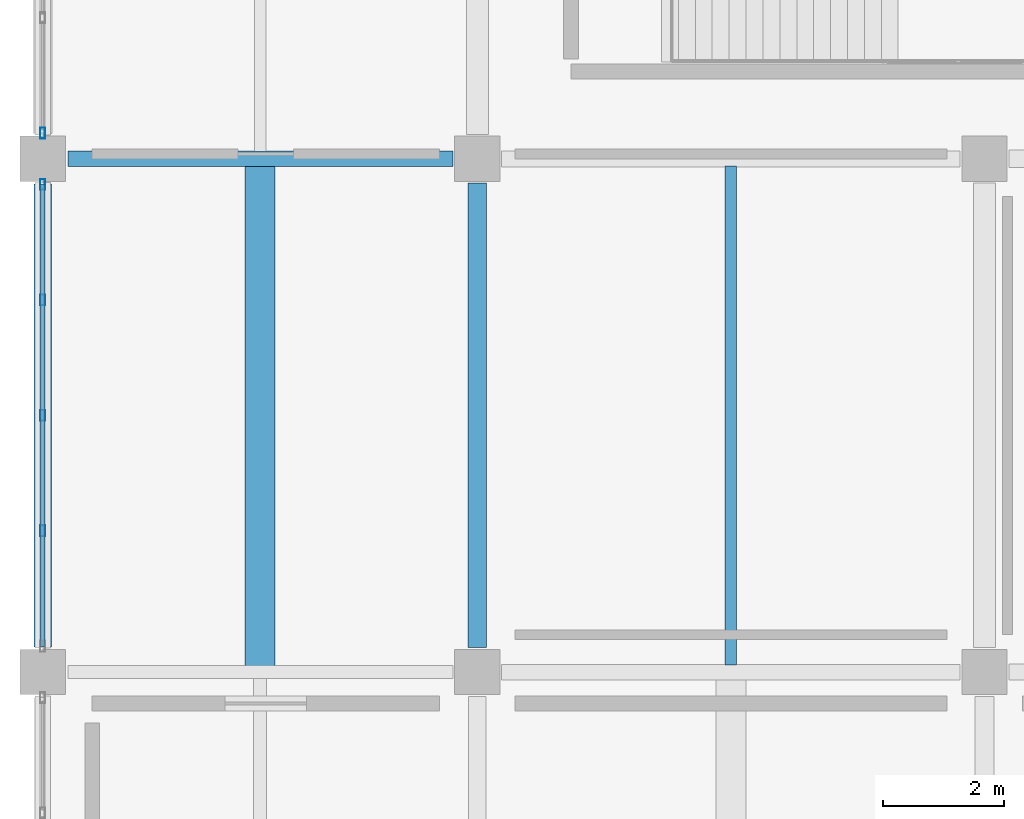
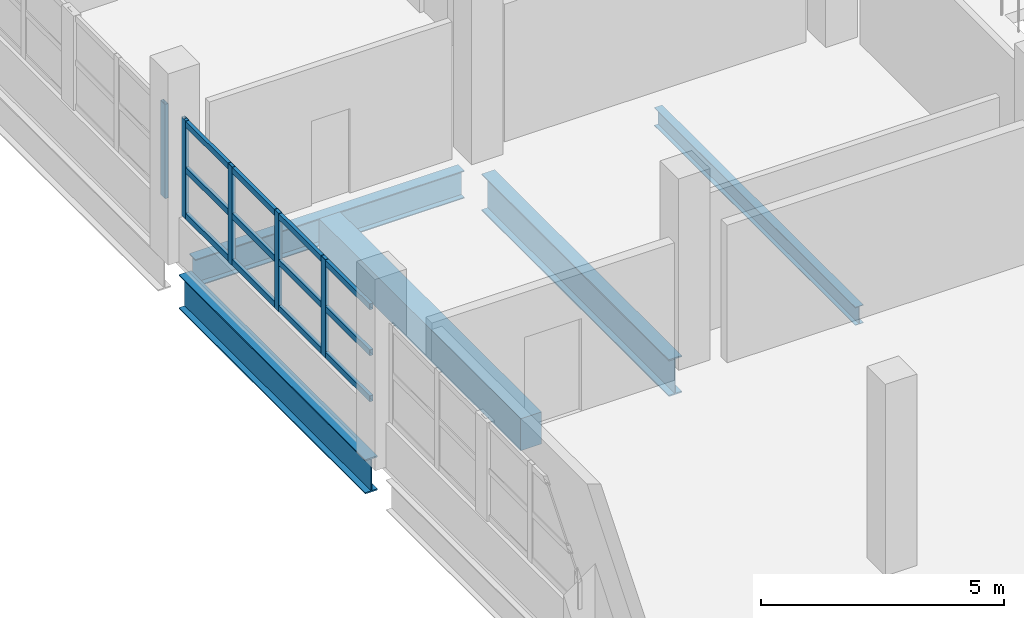
# One storey, part 36 of 117: 8 members, 5 beams, 2 elements without a shape of their own.
"""IFC4 building model written with IfcOpenShell, lengths in metres."""

from ifc_helpers import new_model, si_unit, direction, frame, origin, origin_2d, place, context, subcontext, project, spatial, rectangle, hollow_rectangle, i_section, extrude, material, material_profile, profile_set, type_object, element, aggregate, save


model = new_model("IFC4")

# Units and contexts
model_context = context("Model", 3, precision=1e-05, world=origin(), true_north=direction((0.0, 1.0)))
body_context = subcontext(model_context, "Body", "Model", "MODEL_VIEW")
ifc_project = project(units=[si_unit("LENGTHUNIT", "METRE"), si_unit("AREAUNIT", "SQUARE_METRE"), si_unit("VOLUMEUNIT", "CUBIC_METRE"), si_unit("PLANEANGLEUNIT", "RADIAN"), si_unit("MASSUNIT", "GRAM", prefix="KILO")], contexts=[model_context])

# Site, building, storey
site_placement = place(None, origin())
site = spatial("IfcSite", under=ifc_project, at=site_placement, CompositionType="ELEMENT")
building_placement = place(site_placement, origin())
building = spatial("IfcBuilding", under=site, at=building_placement, Name="Solvento Point Concert Hall", CompositionType="ELEMENT")
storey_placement = place(building_placement, frame((0.0, 0.0, 5.39990234375)))
storey = spatial("IfcBuildingStorey", under=building, at=storey_placement, Name="L01", CompositionType="ELEMENT", Elevation=5.39990234375)

# Beams
ifc_material_1 = material(Name="Concrete C35/45", Category="concrete")
ifc_material_profile_1 = material_profile(ifc_material_1, rectangle(XDim=0.5, YDim=0.800048828125, at=origin_2d()), Name="RC-BM-500X800")
ifc_profile_set_1 = profile_set([ifc_material_profile_1], Name="Concrete C35/45")
beam_type_1 = type_object("IfcBeamType", Name="Beam_RC_500x800", PredefinedType="BEAM", material=ifc_profile_set_1)
beam_1_placement = place(storey_placement, frame((3.60009765625, 119.092041015625, -0.683837890625), z_axis=(0.0, 1.0, 0.0), x_axis=(-1.0, 0.0, 0.0)))
element("IfcBeam", 1, at=beam_1_placement, inside=storey, type_object=beam_type_1, Name="Secondary floor joist B-63 L01", PredefinedType="BEAM", context=body_context, shape_type="SweptSolid", body=[
    extrude(rectangle(XDim=0.5, YDim=0.800048828125, at=origin_2d()), origin(), (0.0, 0.0, 1.0), 8.294921875),
])
ifc_material_2 = material(Name="Structural Steel ASTM A992 Grade 50", Category="steel")
ifc_material_profile_2 = material_profile(ifc_material_2, i_section(OverallWidth=0.256103515625, OverallDepth=0.693115234375, WebThickness=0.014404296875, FlangeThickness=0.023681640625, at=origin_2d()), Name="W27X114")
ifc_profile_set_2 = profile_set([ifc_material_profile_2], Name="Structural Steel ASTM A992 Grade 50")
beam_type_2 = type_object("IfcBeamType", Name="Girder_W27X114", PredefinedType="USERDEFINED", material=ifc_profile_set_2)
beam_2_placement = place(storey_placement, frame((0.4189453125, 127.5, -0.63037109375), z_axis=(1.0, 0.0, 0.0), x_axis=(0.0, 1.0, 0.0)))
element("IfcBeam", 2, at=beam_2_placement, inside=storey, type_object=beam_type_2, Name="Primary girder B-23 L01", ObjectType="GIRDER", PredefinedType="USERDEFINED", context=body_context, shape_type="SweptSolid", body=[
    extrude(i_section(OverallWidth=0.256103515625, OverallDepth=0.693115234375, WebThickness=0.014404296875, FlangeThickness=0.023681640625, at=origin_2d()), origin(), (0.0, 0.0, 1.0), 6.376953125),
])
ifc_material_3 = material(Name="Structural Steel ASTM A992 Grade 50", Category="steel")
ifc_material_profile_3 = material_profile(ifc_material_3, i_section(OverallWidth=0.2919921875, OverallDepth=0.85888671875, WebThickness=0.01708984375, FlangeThickness=0.031005859375, at=origin_2d()), Name="W33X169")
ifc_profile_set_3 = profile_set([ifc_material_profile_3], Name="Structural Steel ASTM A992 Grade 50")
beam_type_3 = type_object("IfcBeamType", Name="Girder_W33X169", PredefinedType="USERDEFINED", material=ifc_profile_set_3)
beam_3_placement = place(storey_placement, frame((0.0, 119.4189453125, -0.71337890625), z_axis=(0.0, 1.0, 0.0), x_axis=(-1.0, 0.0, 0.0)))
element("IfcBeam", 3, at=beam_3_placement, inside=storey, type_object=beam_type_3, Name="Primary girder B-33 L01", ObjectType="GIRDER", PredefinedType="USERDEFINED", context=body_context, shape_type="SweptSolid", body=[
    extrude(i_section(OverallWidth=0.2919921875, OverallDepth=0.85888671875, WebThickness=0.01708984375, FlangeThickness=0.031005859375, at=origin_2d()), origin(), (0.0, 0.0, 1.0), 7.662109375),
])
ifc_material_4 = material(Name="Structural Steel ASTM A992 Grade 50", Category="steel")
ifc_material_profile_4 = material_profile(ifc_material_4, i_section(OverallWidth=0.3076171875, OverallDepth=0.927001953125, WebThickness=0.019287109375, FlangeThickness=0.031982421875, at=origin_2d()), Name="W36X194")
ifc_profile_set_4 = profile_set([ifc_material_profile_4], Name="Structural Steel ASTM A992 Grade 50")
beam_type_4 = type_object("IfcBeamType", Name="Girder_W36X194", PredefinedType="USERDEFINED", material=ifc_profile_set_4)
beam_4_placement = place(storey_placement, frame((7.199951171875, 119.404052734375, -0.747314453125), z_axis=(0.0, 1.0, 0.0), x_axis=(-1.0, 0.0, 0.0)))
element("IfcBeam", 4, at=beam_4_placement, inside=storey, type_object=beam_type_4, Name="Primary girder B-61 L01", ObjectType="GIRDER", PredefinedType="USERDEFINED", context=body_context, shape_type="SweptSolid", body=[
    extrude(i_section(OverallWidth=0.3076171875, OverallDepth=0.927001953125, WebThickness=0.019287109375, FlangeThickness=0.031982421875, at=origin_2d()), origin(), (0.0, 0.0, 1.0), 7.69189453125),
])
ifc_material_5 = material(Name="Structural Steel ASTM A992 Grade 50", Category="steel")
ifc_material_profile_5 = material_profile(ifc_material_5, i_section(OverallWidth=0.1904296875, OverallDepth=0.45703125, WebThickness=0.009033203125, FlangeThickness=0.014404296875, at=origin_2d()), Name="W18X50")
ifc_profile_set_5 = profile_set([ifc_material_profile_5], Name="Structural Steel ASTM A992 Grade 50")
beam_type_5 = type_object("IfcBeamType", Name="Joist_W18X50", PredefinedType="JOIST", material=ifc_profile_set_5)
beam_5_placement = place(storey_placement, frame((11.39990234375, 119.113037109375, -0.512451171875), z_axis=(0.0, 1.0, 0.0), x_axis=(-1.0, 0.0, 0.0)))
element("IfcBeam", 5, at=beam_5_placement, inside=storey, type_object=beam_type_5, Name="Secondary floor joist B-66 L01", PredefinedType="JOIST", context=body_context, shape_type="SweptSolid", body=[
    extrude(i_section(OverallWidth=0.1904296875, OverallDepth=0.45703125, WebThickness=0.009033203125, FlangeThickness=0.014404296875, at=origin_2d()), origin(), (0.0, 0.0, 1.0), 8.26806640625),
])

# Curtain wall, members
ifc_material_6 = material(Name="Anodized Bronze Aluminium", Category="aluminium")
curtain_wall_type = type_object("IfcCurtainWallType", Name="CurtainWall_CourtPilotis", PredefinedType="USERDEFINED", material=ifc_material_6)
curtain_wall_1_placement = place(storey_placement, origin())
curtain_wall_1 = element("IfcCurtainWall", 6, at=curtain_wall_1_placement, inside=storey, type_object=curtain_wall_type, Name="Unitised curtain wall CW-96 UCW-L01-121", ObjectType="UNITISED CURTAIN WALL", PredefinedType="USERDEFINED")
ifc_material_7 = material(Name="Anodized Bronze Aluminium", Category="aluminium")
ifc_material_profile_6 = material_profile(ifc_material_7, hollow_rectangle(XDim=0.080078125, YDim=0.179931640625, WallThickness=0.00390625, at=origin_2d()), Name="CW-MUL-80X180")
ifc_profile_set_6 = profile_set([ifc_material_profile_6], Name="Anodized Bronze Aluminium")
member_type_1 = type_object("IfcMemberType", Name="Mullion_80x180", PredefinedType="MULLION", material=ifc_profile_set_6)
member_1_placement = place(storey_placement, frame((0.0, 121.33740234375, 1.1201171875), z_axis=(0.0, 0.0, 1.0), x_axis=(1.0, 0.0, 0.0)))
member_1 = element("IfcMember", 7, at=member_1_placement, type_object=member_type_1, Name="Curtain wall mullion ML-01", PredefinedType="MULLION", context=body_context, shape_type="SweptSolid", body=[
    extrude(hollow_rectangle(XDim=0.080078125, YDim=0.179931640625, WallThickness=0.00390625, at=origin_2d()), origin(), (0.0, 0.0, 1.0), 2.467041015625),
])
member_2_placement = place(storey_placement, frame((0.0, 123.25, 1.1201171875), z_axis=(0.0, 0.0, 1.0), x_axis=(1.0, 0.0, 0.0)))
member_2 = element("IfcMember", 8, at=member_2_placement, type_object=member_type_1, Name="Curtain wall mullion ML-01", PredefinedType="MULLION", context=body_context, shape_type="SweptSolid", body=[
    extrude(hollow_rectangle(XDim=0.080078125, YDim=0.179931640625, WallThickness=0.00390625, at=origin_2d()), origin(), (0.0, 0.0, 1.0), 2.467041015625),
])
member_3_placement = place(storey_placement, frame((0.0, 125.16259765625, 1.1201171875), z_axis=(0.0, 0.0, 1.0), x_axis=(1.0, 0.0, 0.0)))
member_3 = element("IfcMember", 9, at=member_3_placement, type_object=member_type_1, Name="Curtain wall mullion ML-01", PredefinedType="MULLION", context=body_context, shape_type="SweptSolid", body=[
    extrude(hollow_rectangle(XDim=0.080078125, YDim=0.179931640625, WallThickness=0.00390625, at=origin_2d()), origin(), (0.0, 0.0, 1.0), 2.467041015625),
])
member_4_placement = place(storey_placement, frame((0.0, 127.074951171875, 1.1201171875), z_axis=(0.0, 0.0, 1.0), x_axis=(1.0, 0.0, 0.0)))
member_4 = element("IfcMember", 10, at=member_4_placement, type_object=member_type_1, Name="Curtain wall mullion ML-01", PredefinedType="MULLION", context=body_context, shape_type="SweptSolid", body=[
    extrude(hollow_rectangle(XDim=0.080078125, YDim=0.179931640625, WallThickness=0.00390625, at=origin_2d()), origin(), (0.0, 0.0, 1.0), 2.467041015625),
])

# Curtain wall, member
curtain_wall_2_placement = place(storey_placement, origin())
curtain_wall_2 = element("IfcCurtainWall", 11, at=curtain_wall_2_placement, inside=storey, type_object=curtain_wall_type, Name="Unitised curtain wall CW-96 UCW-L01-122", ObjectType="UNITISED CURTAIN WALL", PredefinedType="USERDEFINED")
member_5_placement = place(storey_placement, frame((0.0, 127.925048828125, 1.1201171875), z_axis=(0.0, 0.0, 1.0), x_axis=(1.0, 0.0, 0.0)))
member_5 = element("IfcMember", 12, at=member_5_placement, type_object=member_type_1, Name="Curtain wall mullion ML-01", PredefinedType="MULLION", context=body_context, shape_type="SweptSolid", body=[
    extrude(hollow_rectangle(XDim=0.080078125, YDim=0.179931640625, WallThickness=0.00390625, at=origin_2d()), origin(), (0.0, 0.0, 1.0), 2.367919921875),
])
aggregate(curtain_wall_2, [member_5])

# Member
ifc_material_8 = material(Name="Anodized Bronze Aluminium", Category="aluminium")
ifc_material_profile_7 = material_profile(ifc_material_8, hollow_rectangle(XDim=0.080078125, YDim=0.14990234375, WallThickness=0.00390625, at=origin_2d()), Name="CW-TRN-80X150")
ifc_profile_set_7 = profile_set([ifc_material_profile_7], Name="Anodized Bronze Aluminium")
member_type_2 = type_object("IfcMemberType", Name="Transom_80x150", PredefinedType="USERDEFINED", material=ifc_profile_set_7)
member_6_placement = place(storey_placement, frame((0.0, 119.425048828125, 1.2001953125), z_axis=(0.0, 1.0, 0.0), x_axis=(-1.0, 0.0, 0.0)))
member_6 = element("IfcMember", 13, at=member_6_placement, type_object=member_type_2, Name="Curtain wall transom TR-01", ObjectType="TRANSOM", PredefinedType="USERDEFINED", context=body_context, shape_type="SweptSolid", body=[
    extrude(hollow_rectangle(XDim=0.080078125, YDim=0.14990234375, WallThickness=0.00390625, at=origin_2d()), origin(), (0.0, 0.0, 1.0), 7.64990234375),
])

member_7_placement = place(storey_placement, frame((0.0, 119.425048828125, 2.353515625), z_axis=(0.0, 1.0, 0.0), x_axis=(-1.0, 0.0, 0.0)))
member_7 = element("IfcMember", 14, at=member_7_placement, type_object=member_type_2, Name="Curtain wall transom TR-01", ObjectType="TRANSOM", PredefinedType="USERDEFINED", context=body_context, shape_type="SweptSolid", body=[
    extrude(hollow_rectangle(XDim=0.080078125, YDim=0.14990234375, WallThickness=0.00390625, at=origin_2d()), origin(), (0.0, 0.0, 1.0), 7.64990234375),
])

member_8_placement = place(storey_placement, frame((0.0, 119.425048828125, 3.507080078125), z_axis=(0.0, 1.0, 0.0), x_axis=(-1.0, 0.0, 0.0)))
member_8 = element("IfcMember", 15, at=member_8_placement, type_object=member_type_2, Name="Curtain wall transom TR-01", ObjectType="TRANSOM", PredefinedType="USERDEFINED", context=body_context, shape_type="SweptSolid", body=[
    extrude(hollow_rectangle(XDim=0.080078125, YDim=0.14990234375, WallThickness=0.00390625, at=origin_2d()), origin(), (0.0, 0.0, 1.0), 7.64990234375),
])

aggregate(curtain_wall_1, [member_1, member_2, member_3, member_4, member_6, member_7, member_8])

save(model, "model.ifc")
